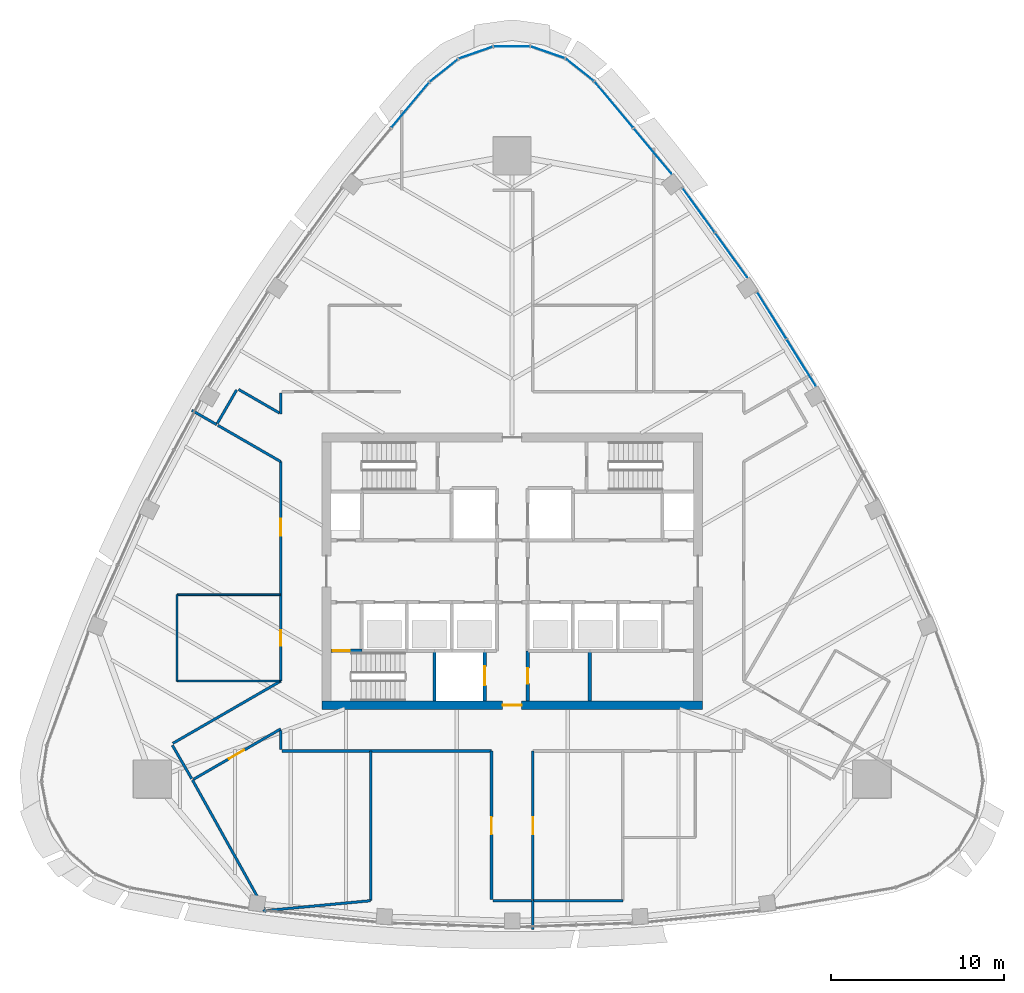
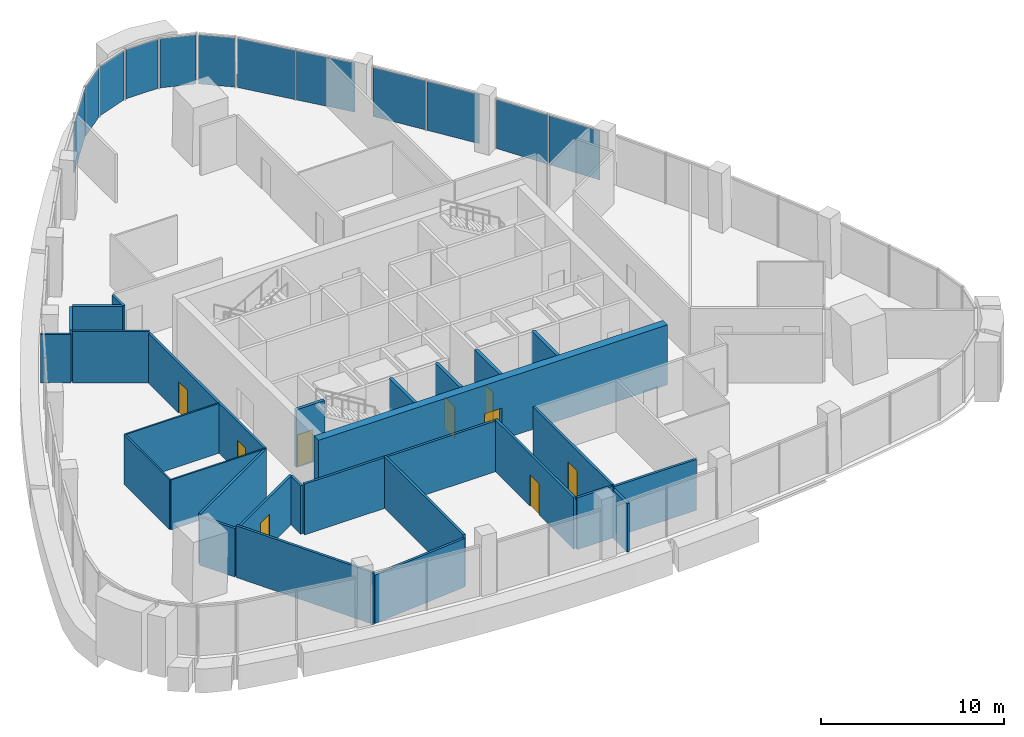
# One storey, part 8 of 15: 29 walls, 12 plates, 9 doors, 9 openings, 9 elements without a shape of their own.
"""IFC4 building model written with IfcOpenShell, lengths in metres."""

from ifc_helpers import new_model, si_unit, direction, frame, frame_2d, origin, origin_2d, place, context, subcontext, project, spatial, rectangle, extrude, material, layer, layer_set, type_object, element, fill, aggregate, save


model = new_model("IFC4")

# Units and contexts
model_context = context("Model", 3, precision=1e-05, world=origin(), true_north=direction((0.0, 1.0)))
body_context = subcontext(model_context, "Body", "Model", "MODEL_VIEW")
ifc_project = project(units=[si_unit("LENGTHUNIT", "METRE"), si_unit("AREAUNIT", "SQUARE_METRE"), si_unit("VOLUMEUNIT", "CUBIC_METRE"), si_unit("PLANEANGLEUNIT", "RADIAN"), si_unit("MASSUNIT", "GRAM", prefix="KILO")], contexts=[model_context])

# Site, building, storey
site_placement = place(None, origin())
site = spatial("IfcSite", under=ifc_project, at=site_placement, CompositionType="ELEMENT")
building_placement = place(site_placement, origin())
building = spatial("IfcBuilding", under=site, at=building_placement, Name="Sierra Prisma Convention Tower", CompositionType="ELEMENT")
storey_placement = place(building_placement, frame((0.0, 0.0, 283.0)))
storey = spatial("IfcBuildingStorey", under=building, at=storey_placement, Name="L64", CompositionType="ELEMENT", Elevation=283.0)

# Curtain wall, plates
ifc_material_1 = material(Name="Aluminium and glass curtain wall", Category="aluminium")
ifc_layer_1 = layer(ifc_material_1, 0.179931640625)
ifc_layer_set_1 = layer_set([ifc_layer_1], Name="CW-1 Plain shaft curtain wall")
curtain_wall_type = type_object("IfcCurtainWallType", Name="CW-1 Plain shaft curtain wall", PredefinedType="NOTDEFINED", material=ifc_layer_set_1)
curtain_wall_1_placement = place(storey_placement, origin())
curtain_wall_1 = element("IfcCurtainWall", 1, at=curtain_wall_1_placement, inside=storey, type_object=curtain_wall_type, Name="CW-1 NE4 L64", PredefinedType="NOTDEFINED")
ifc_material_2 = material(Name="Tinted glass bronze-grey IGU", Category="glass")
ifc_layer_2 = layer(ifc_material_2, 0.028076171875)
ifc_layer_set_2 = layer_set([ifc_layer_2], Name="CW-1 glass panel")
plate_type = type_object("IfcPlateType", Name="CW-1 glass panel", PredefinedType="CURTAIN_PANEL", material=ifc_layer_set_2)
plate_1_placement = place(storey_placement, frame((16.727783203125, 12.07958984375, 0.0), z_axis=(0.0, 0.0, 1.0), x_axis=(-0.529464807583, 0.848331902931, 0.0)))
plate_1 = element("IfcPlate", 2, at=plate_1_placement, type_object=plate_type, Name="CW-1 panel NE4.1", PredefinedType="CURTAIN_PANEL", context=body_context, shape_type="SweptSolid", body=[
    extrude(rectangle(XDim=3.157470703125, YDim=0.028076171875, at=origin_2d()), origin(), (0.0, 0.0, 1.0), 3.280029296875),
])
plate_2_placement = place(storey_placement, frame((15.01904296875, 14.817626953125, 0.0), z_axis=(0.0, 0.0, 1.0), x_axis=(-0.529464807583, 0.848331902931, 0.0)))
plate_2 = element("IfcPlate", 3, at=plate_2_placement, type_object=plate_type, Name="CW-1 panel NE4.2", PredefinedType="CURTAIN_PANEL", context=body_context, shape_type="SweptSolid", body=[
    extrude(rectangle(XDim=3.157470703125, YDim=0.028076171875, at=origin_2d()), origin(), (0.0, 0.0, 1.0), 3.280029296875),
])
aggregate(curtain_wall_1, [plate_1, plate_2])

curtain_wall_2_placement = place(storey_placement, origin())
curtain_wall_2 = element("IfcCurtainWall", 4, at=curtain_wall_2_placement, inside=storey, type_object=curtain_wall_type, Name="CW-1 NE5 L64", PredefinedType="NOTDEFINED")
plate_3_placement = place(storey_placement, frame((12.675048828125, 18.3017578125, 0.0), z_axis=(0.0, 0.0, 1.0), x_axis=(-0.586484089788, 0.80996074746, 0.0)))
plate_3 = element("IfcPlate", 5, at=plate_3_placement, type_object=plate_type, Name="CW-1 panel NE5.1", PredefinedType="CURTAIN_PANEL", context=body_context, shape_type="SweptSolid", body=[
    extrude(rectangle(XDim=3.142333984375, YDim=0.028076171875, at=origin_2d()), origin(), (0.0, 0.0, 1.0), 3.280029296875),
])
plate_4_placement = place(storey_placement, frame((10.791015625, 20.903564453125, 0.0), z_axis=(0.0, 0.0, 1.0), x_axis=(-0.586484089788, 0.80996074746, 0.0)))
plate_4 = element("IfcPlate", 6, at=plate_4_placement, type_object=plate_type, Name="CW-1 panel NE5.2", PredefinedType="CURTAIN_PANEL", context=body_context, shape_type="SweptSolid", body=[
    extrude(rectangle(XDim=3.142333984375, YDim=0.028076171875, at=origin_2d()), origin(), (0.0, 0.0, 1.0), 3.280029296875),
])
aggregate(curtain_wall_2, [plate_3, plate_4])

curtain_wall_3_placement = place(storey_placement, origin())
curtain_wall_3 = element("IfcCurtainWall", 7, at=curtain_wall_3_placement, inside=storey, type_object=curtain_wall_type, Name="CW-1 NE6 L64", PredefinedType="NOTDEFINED")
plate_5_placement = place(storey_placement, frame((8.121337890625, 24.331298828125, 0.0), z_axis=(0.0, 0.0, 1.0), x_axis=(-0.640733088521, 0.767763706667, 0.0)))
plate_5 = element("IfcPlate", 8, at=plate_5_placement, type_object=plate_type, Name="CW-1 panel NE6.1", PredefinedType="CURTAIN_PANEL", context=body_context, shape_type="SweptSolid", body=[
    extrude(rectangle(XDim=3.38818359375, YDim=0.028076171875, at=origin_2d()), origin(), (0.0, 0.0, 1.0), 3.280029296875),
])
plate_6_placement = place(storey_placement, frame((5.905517578125, 26.986328125, 0.0), z_axis=(0.0, 0.0, 1.0), x_axis=(-0.640733088521, 0.767763706667, 0.0)))
plate_6 = element("IfcPlate", 9, at=plate_6_placement, type_object=plate_type, Name="CW-1 panel NE6.2", PredefinedType="CURTAIN_PANEL", context=body_context, shape_type="SweptSolid", body=[
    extrude(rectangle(XDim=3.38818359375, YDim=0.028076171875, at=origin_2d()), origin(), (0.0, 0.0, 1.0), 3.280029296875),
])
aggregate(curtain_wall_3, [plate_5, plate_6])

# Curtain wall, plate
curtain_wall_4_placement = place(storey_placement, origin())
curtain_wall_4 = element("IfcCurtainWall", 10, at=curtain_wall_4_placement, inside=storey, type_object=curtain_wall_type, Name="CW-1 N1 L64", PredefinedType="NOTDEFINED")
plate_7_placement = place(storey_placement, frame((3.936279296875, 29.00927734375, 0.0), z_axis=(0.0, 0.0, 1.0), x_axis=(-0.782093387112, 0.623161242244, 0.0)))
plate_7 = element("IfcPlate", 11, at=plate_7_placement, type_object=plate_type, Name="CW-1 panel N1.1", PredefinedType="CURTAIN_PANEL", context=body_context, shape_type="SweptSolid", body=[
    extrude(rectangle(XDim=2.005126953125, YDim=0.028076171875, at=origin_2d()), origin(), (0.0, 0.0, 1.0), 3.280029296875),
])
aggregate(curtain_wall_4, [plate_7])

curtain_wall_5_placement = place(storey_placement, origin())
curtain_wall_5 = element("IfcCurtainWall", 12, at=curtain_wall_5_placement, inside=storey, type_object=curtain_wall_type, Name="CW-1 N2 L64", PredefinedType="NOTDEFINED")
plate_8_placement = place(storey_placement, frame((2.0849609375, 30.03173828125, 0.0), z_axis=(0.0, 0.0, 1.0), x_axis=(-0.943952696673, 0.330080757458, 0.0)))
plate_8 = element("IfcPlate", 13, at=plate_8_placement, type_object=plate_type, Name="CW-1 panel N2.1", PredefinedType="CURTAIN_PANEL", context=body_context, shape_type="SweptSolid", body=[
    extrude(rectangle(XDim=2.005126953125, YDim=0.028076171875, at=origin_2d()), origin(), (0.0, 0.0, 1.0), 3.280029296875),
])
aggregate(curtain_wall_5, [plate_8])

curtain_wall_6_placement = place(storey_placement, origin())
curtain_wall_6 = element("IfcCurtainWall", 14, at=curtain_wall_6_placement, inside=storey, type_object=curtain_wall_type, Name="CW-1 N3 L64", PredefinedType="NOTDEFINED")
plate_9_placement = place(storey_placement, frame((0.0, 30.3857421875, 0.0), z_axis=(0.0, 0.0, 1.0), x_axis=(-1.0, 0.0, 0.0)))
plate_9 = element("IfcPlate", 15, at=plate_9_placement, type_object=plate_type, Name="CW-1 panel N3.1", PredefinedType="CURTAIN_PANEL", context=body_context, shape_type="SweptSolid", body=[
    extrude(rectangle(XDim=2.005126953125, YDim=0.028076171875, at=origin_2d()), origin(), (0.0, 0.0, 1.0), 3.280029296875),
])
aggregate(curtain_wall_6, [plate_9])

curtain_wall_7_placement = place(storey_placement, origin())
curtain_wall_7 = element("IfcCurtainWall", 16, at=curtain_wall_7_placement, inside=storey, type_object=curtain_wall_type, Name="CW-1 N4 L64", PredefinedType="NOTDEFINED")
plate_10_placement = place(storey_placement, frame((-2.0849609375, 30.03173828125, 0.0), z_axis=(0.0, 0.0, 1.0), x_axis=(-0.943952696673, -0.330080757458, 0.0)))
plate_10 = element("IfcPlate", 17, at=plate_10_placement, type_object=plate_type, Name="CW-1 panel N4.1", PredefinedType="CURTAIN_PANEL", context=body_context, shape_type="SweptSolid", body=[
    extrude(rectangle(XDim=2.005126953125, YDim=0.028076171875, at=origin_2d()), origin(), (0.0, 0.0, 1.0), 3.280029296875),
])
aggregate(curtain_wall_7, [plate_10])

curtain_wall_8_placement = place(storey_placement, origin())
curtain_wall_8 = element("IfcCurtainWall", 18, at=curtain_wall_8_placement, inside=storey, type_object=curtain_wall_type, Name="CW-1 N5 L64", PredefinedType="NOTDEFINED")
plate_11_placement = place(storey_placement, frame((-3.936279296875, 29.00927734375, 0.0), z_axis=(0.0, 0.0, 1.0), x_axis=(-0.782093387112, -0.623161242244, 0.0)))
plate_11 = element("IfcPlate", 19, at=plate_11_placement, type_object=plate_type, Name="CW-1 panel N5.1", PredefinedType="CURTAIN_PANEL", context=body_context, shape_type="SweptSolid", body=[
    extrude(rectangle(XDim=2.005126953125, YDim=0.028076171875, at=origin_2d()), origin(), (0.0, 0.0, 1.0), 3.280029296875),
])
aggregate(curtain_wall_8, [plate_11])

curtain_wall_9_placement = place(storey_placement, origin())
curtain_wall_9 = element("IfcCurtainWall", 20, at=curtain_wall_9_placement, inside=storey, type_object=curtain_wall_type, Name="CW-1 NW1 L64", PredefinedType="NOTDEFINED")
plate_12_placement = place(storey_placement, frame((-5.905517578125, 26.986328125, 0.0), z_axis=(0.0, 0.0, 1.0), x_axis=(-0.640733088521, -0.767763706667, 0.0)))
plate_12 = element("IfcPlate", 21, at=plate_12_placement, type_object=plate_type, Name="CW-1 panel NW1.1", PredefinedType="CURTAIN_PANEL", context=body_context, shape_type="SweptSolid", body=[
    extrude(rectangle(XDim=3.38818359375, YDim=0.028076171875, at=origin_2d()), origin(), (0.0, 0.0, 1.0), 3.280029296875),
])
aggregate(curtain_wall_9, [plate_12])

# Walls
ifc_material_3 = material(Name="Gypsum board partition", Category="gypsum")
ifc_layer_3 = layer(ifc_material_3, 0.10009765625)
ifc_layer_set_3 = layer_set([ifc_layer_3], Name="Bathroom partition 100")
wall_type_1 = type_object("IfcWallType", Name="Bathroom partition 100", PredefinedType="PARTITIONING", material=ifc_layer_set_3)
wall_1_placement = place(storey_placement, frame((-13.4599609375, -6.350830078125, 0.0), z_axis=(0.0, 0.0, 1.0), x_axis=(-1.0, 0.0, 0.0)))
element("IfcWall", 22, at=wall_1_placement, inside=storey, type_object=wall_type_1, Name="Partition L64 bath 1", PredefinedType="PARTITIONING", context=body_context, shape_type="SweptSolid", body=[
    extrude(rectangle(XDim=5.93994140625, YDim=0.10009765625, at=frame_2d((2.969970703125, 0.0))), origin(), (0.0, 0.0, 1.0), 3.31689453125),
])
wall_2_placement = place(storey_placement, frame((-19.39990234375, -6.350830078125, 0.0), z_axis=(0.0, 0.0, 1.0), x_axis=(0.0, 1.0, 0.0)))
element("IfcWall", 23, at=wall_2_placement, inside=storey, type_object=wall_type_1, Name="Partition L64 bath 2", PredefinedType="PARTITIONING", context=body_context, shape_type="SweptSolid", body=[
    extrude(rectangle(XDim=5.0, YDim=0.10009765625, at=frame_2d((2.5, 0.0))), origin(), (0.0, 0.0, 1.0), 3.31689453125),
])
wall_3_placement = place(storey_placement, frame((-19.39990234375, -1.350830078125, 0.0), z_axis=(0.0, 0.0, 1.0), x_axis=(1.0, 0.0, 0.0)))
element("IfcWall", 24, at=wall_3_placement, inside=storey, type_object=wall_type_1, Name="Partition L64 bath 3", PredefinedType="PARTITIONING", context=body_context, shape_type="SweptSolid", body=[
    extrude(rectangle(XDim=5.969970703125, YDim=0.10009765625, at=frame_2d((2.98486328125, 0.0))), origin(), (0.0, 0.0, 1.0), 3.31689453125),
])

# Wall, opening, door
ifc_material_4 = material(Name="Concrete C30/37", Category="concrete")
ifc_layer_4 = layer(ifc_material_4, 0.199951171875)
ifc_layer_set_4 = layer_set([ifc_layer_4], Name="Core wall RC 200 C30/37")
wall_type_2 = type_object("IfcWallType", Name="Core wall RC 200 C30/37", PredefinedType="SOLIDWALL", material=ifc_layer_set_4)
wall_4_placement = place(storey_placement, frame((-10.5, -4.60009765625, 0.0), z_axis=(0.0, 0.0, 1.0), x_axis=(1.0, 0.0, 0.0)))
wall_4 = element("IfcWall", 25, at=wall_4_placement, inside=storey, type_object=wall_type_2, Name="Core wall L64 1", PredefinedType="SOLIDWALL", context=body_context, shape_type="SweptSolid", body=[
    extrude(rectangle(XDim=1.800048828125, YDim=0.199951171875, at=frame_2d((0.89990234375, 0.0))), origin(), (0.0, 0.0, 1.0), 3.85009765625),
])
opening_1_placement = place(wall_4_placement, frame((0.10009765625, 0.0, 0.0)))
opening_1 = element("IfcOpeningElement", 26, at=opening_1_placement, cuts=wall_4, Name="Opening L64-D017", PredefinedType="OPENING", context=body_context, shape_type="SweptSolid", body=[
    extrude(rectangle(XDim=1.0, YDim=2.10009765625, at=frame_2d((0.5, 1.050048828125))), frame((0.0, 0.10009765625, 0.0), z_axis=(0.0, -1.0, 0.0), x_axis=(1.0, 0.0, 0.0)), (0.0, 0.0, 1.0), 0.199951171875),
])
ifc_material_5 = material(Name="Steel fire door leaf", Category="steel")
door_type_1 = type_object("IfcDoorType", Name="Door 1000x2100 FD90S", OperationType="SINGLE_SWING_LEFT", PredefinedType="DOOR", material=ifc_material_5)
door_1_placement = place(opening_1_placement, origin())
door_1 = element("IfcDoor", 27, at=door_1_placement, inside=storey, type_object=door_type_1, Name="Door L64 32", OperationType="SINGLE_SWING_LEFT", OverallHeight=2.10009765625, OverallWidth=1.0, PredefinedType="DOOR", context=body_context, shape_type="SweptSolid", body=[
    extrude(rectangle(XDim=1.0, YDim=2.10009765625, at=frame_2d((0.5, 1.050048828125))), frame((0.0, 0.02490234375, 0.0), z_axis=(0.0, -1.0, 0.0), x_axis=(1.0, 0.0, 0.0)), (0.0, 0.0, 1.0), 0.050048828125),
])
fill(opening_1, door_1)

# Wall
wall_5_placement = place(storey_placement, frame((-4.5, -4.60009765625, 0.0), z_axis=(0.0, 0.0, 1.0), x_axis=(0.0, -1.0, 0.0)))
element("IfcWall", 28, at=wall_5_placement, inside=storey, type_object=wall_type_2, Name="Core wall L64 14", PredefinedType="SOLIDWALL", context=body_context, shape_type="SweptSolid", body=[
    extrude(rectangle(XDim=2.89990234375, YDim=0.199951171875, at=frame_2d((1.449951171875, 0.0))), origin(), (0.0, 0.0, 1.0), 3.85009765625),
])

# Wall, opening, door
wall_6_placement = place(storey_placement, frame((-1.60009765625, -7.5, 0.0), z_axis=(0.0, 0.0, 1.0), x_axis=(0.0, 1.0, 0.0)))
wall_6 = element("IfcWall", 29, at=wall_6_placement, inside=storey, type_object=wall_type_2, Name="Core wall L64 26", PredefinedType="SOLIDWALL", context=body_context, shape_type="SweptSolid", body=[
    extrude(rectangle(XDim=2.89990234375, YDim=0.199951171875, at=frame_2d((1.449951171875, 0.0))), origin(), (0.0, 0.0, 1.0), 3.85009765625),
])
opening_2_placement = place(wall_6_placement, frame((0.89990234375, 0.0, 0.0)))
opening_2 = element("IfcOpeningElement", 30, at=opening_2_placement, cuts=wall_6, Name="Opening L64-D009", PredefinedType="OPENING", context=body_context, shape_type="SweptSolid", body=[
    extrude(rectangle(XDim=1.10009765625, YDim=2.10009765625, at=frame_2d((0.550048828125, 1.050048828125))), frame((0.0, 0.10009765625, 0.0), z_axis=(0.0, -1.0, 0.0), x_axis=(1.0, 0.0, 0.0)), (0.0, 0.0, 1.0), 0.199951171875),
])
ifc_material_6 = material(Name="Steel fire door leaf", Category="steel")
door_type_2 = type_object("IfcDoorType", Name="Door 1100x2100 EI 90 sliding lift landing", OperationType="SLIDING_TO_LEFT", PredefinedType="DOOR", material=ifc_material_6)
door_2_placement = place(opening_2_placement, origin())
door_2 = element("IfcDoor", 31, at=door_2_placement, inside=storey, type_object=door_type_2, Name="Door L64 24", OperationType="SLIDING_TO_RIGHT", OverallHeight=2.10009765625, OverallWidth=1.10009765625, PredefinedType="DOOR", context=body_context, shape_type="SweptSolid", body=[
    extrude(rectangle(XDim=1.10009765625, YDim=2.10009765625, at=frame_2d((0.550048828125, 1.050048828125))), frame((0.0, 0.02490234375, 0.0), z_axis=(0.0, -1.0, 0.0), x_axis=(1.0, 0.0, 0.0)), (0.0, 0.0, 1.0), 0.050048828125),
])
fill(opening_2, door_2)

wall_7_placement = place(storey_placement, frame((0.89990234375, -4.60009765625, 0.0), z_axis=(0.0, 0.0, 1.0), x_axis=(0.0, -1.0, 0.0)))
wall_7 = element("IfcWall", 32, at=wall_7_placement, inside=storey, type_object=wall_type_2, Name="Core wall L64 32", PredefinedType="SOLIDWALL", context=body_context, shape_type="SweptSolid", body=[
    extrude(rectangle(XDim=2.89990234375, YDim=0.199951171875, at=frame_2d((1.449951171875, 0.0))), origin(), (0.0, 0.0, 1.0), 3.85009765625),
])
opening_3_placement = place(wall_7_placement, frame((1.0, 0.0, 0.0)))
opening_3 = element("IfcOpeningElement", 33, at=opening_3_placement, cuts=wall_7, Name="Opening L64-D024", PredefinedType="OPENING", context=body_context, shape_type="SweptSolid", body=[
    extrude(rectangle(XDim=0.89990234375, YDim=2.10009765625, at=frame_2d((0.449951171875, 1.050048828125))), frame((0.0, 0.10009765625, 0.0), z_axis=(0.0, -1.0, 0.0), x_axis=(1.0, 0.0, 0.0)), (0.0, 0.0, 1.0), 0.199951171875),
])
ifc_material_7 = material(Name="Steel fire door leaf", Category="steel")
door_type_3 = type_object("IfcDoorType", Name="Door 900x2100 FD30S", OperationType="SINGLE_SWING_LEFT", PredefinedType="DOOR", material=ifc_material_7)
door_3_placement = place(opening_3_placement, origin())
door_3 = element("IfcDoor", 34, at=door_3_placement, inside=storey, type_object=door_type_3, Name="Door L64 39", OperationType="SINGLE_SWING_RIGHT", OverallHeight=2.10009765625, OverallWidth=0.89990234375, PredefinedType="DOOR", context=body_context, shape_type="SweptSolid", body=[
    extrude(rectangle(XDim=0.89990234375, YDim=2.10009765625, at=frame_2d((0.449951171875, 1.050048828125))), frame((0.0, 0.02490234375, 0.0), z_axis=(0.0, -1.0, 0.0), x_axis=(1.0, 0.0, 0.0)), (0.0, 0.0, 1.0), 0.050048828125),
])
fill(opening_3, door_3)

# Wall
wall_8_placement = place(storey_placement, frame((4.5, -4.60009765625, 0.0), z_axis=(0.0, 0.0, 1.0), x_axis=(0.0, -1.0, 0.0)))
element("IfcWall", 35, at=wall_8_placement, inside=storey, type_object=wall_type_2, Name="Core wall L64 49", PredefinedType="SOLIDWALL", context=body_context, shape_type="SweptSolid", body=[
    extrude(rectangle(XDim=2.89990234375, YDim=0.199951171875, at=frame_2d((1.449951171875, 0.0))), origin(), (0.0, 0.0, 1.0), 3.85009765625),
])

# Wall, opening, door
ifc_material_8 = material(Name="Concrete C50/60", Category="concrete")
ifc_layer_5 = layer(ifc_material_8, 0.5)
ifc_layer_set_5 = layer_set([ifc_layer_5], Name="Core wall RC 500 C50/60")
wall_type_3 = type_object("IfcWallType", Name="Core wall RC 500 C50/60", PredefinedType="SHEAR", material=ifc_layer_set_5)
wall_9_placement = place(storey_placement, frame((-11.0, -7.75, 0.0), z_axis=(0.0, 0.0, 1.0), x_axis=(1.0, 0.0, 0.0)))
wall_9 = element("IfcWall", 36, at=wall_9_placement, inside=storey, type_object=wall_type_3, Name="Core wall S L64", PredefinedType="SHEAR", context=body_context, shape_type="SweptSolid", body=[
    extrude(rectangle(XDim=22.0, YDim=0.5, at=frame_2d((11.0, 0.0))), origin(), (0.0, 0.0, 1.0), 4.0),
])
opening_4_placement = place(wall_9_placement, frame((10.449951171875, 0.0, 0.0)))
opening_4 = element("IfcOpeningElement", 37, at=opening_4_placement, cuts=wall_9, Name="Opening L64-D042", PredefinedType="OPENING", context=body_context, shape_type="SweptSolid", body=[
    extrude(rectangle(XDim=1.10009765625, YDim=2.10009765625, at=frame_2d((0.550048828125, 1.050048828125))), frame((0.0, 0.25, 0.0), z_axis=(0.0, -1.0, 0.0), x_axis=(1.0, 0.0, 0.0)), (0.0, 0.0, 1.0), 0.5),
])
ifc_material_9 = material(Name="Steel fire door leaf", Category="steel")
door_type_4 = type_object("IfcDoorType", Name="Door 1100x2100 FD30S", OperationType="SINGLE_SWING_LEFT", PredefinedType="DOOR", material=ifc_material_9)
door_4_placement = place(opening_4_placement, origin())
door_4 = element("IfcDoor", 38, at=door_4_placement, inside=storey, type_object=door_type_4, Name="Door L64 43", OperationType="SINGLE_SWING_LEFT", OverallHeight=2.10009765625, OverallWidth=1.10009765625, PredefinedType="DOOR", context=body_context, shape_type="SweptSolid", body=[
    extrude(rectangle(XDim=1.10009765625, YDim=2.10009765625, at=frame_2d((0.550048828125, 1.050048828125))), frame((0.0, 0.02490234375, 0.0), z_axis=(0.0, -1.0, 0.0), x_axis=(1.0, 0.0, 0.0)), (0.0, 0.0, 1.0), 0.050048828125),
])
fill(opening_4, door_4)

# Walls
ifc_material_10 = material(Name="Gypsum board partition", Category="gypsum")
ifc_layer_6 = layer(ifc_material_10, 0.14990234375)
ifc_layer_set_6 = layer_set([ifc_layer_6], Name="Corridor wall 150 gypsum EI 60")
wall_type_4 = type_object("IfcWallType", Name="Corridor wall 150 gypsum EI 60", PredefinedType="PARTITIONING", material=ifc_layer_set_6)
wall_10_placement = place(storey_placement, frame((-19.67236328125, -10.064453125, 0.0), z_axis=(0.0, 0.0, 1.0), x_axis=(0.500030632641, -0.866007717299, 0.0)))
element("IfcWall", 39, at=wall_10_placement, inside=storey, type_object=wall_type_4, Name="Partition L64 corr 1", PredefinedType="PARTITIONING", context=body_context, shape_type="SweptSolid", body=[
    extrude(rectangle(XDim=2.239990234375, YDim=0.14990234375, at=frame_2d((1.1201171875, 0.0))), origin(), (0.0, 0.0, 1.0), 3.23291015625),
])
wall_11_placement = place(storey_placement, frame((-17.040771484375, 8.452880859375, 0.0), z_axis=(0.0, 0.0, 1.0), x_axis=(0.866026021477, -0.499998930123, 0.0)))
element("IfcWall", 40, at=wall_11_placement, inside=storey, type_object=wall_type_4, Name="Partition L64 corr 2", PredefinedType="PARTITIONING", context=body_context, shape_type="SweptSolid", body=[
    extrude(rectangle(XDim=4.2041015625, YDim=0.14990234375, at=frame_2d((2.10205078125, 0.0))), origin(), (0.0, 0.0, 1.0), 3.449951171875),
])

# Wall, openings, doors
wall_12_placement = place(storey_placement, frame((-13.39990234375, 6.350830078125, 0.0), z_axis=(0.0, 0.0, 1.0), x_axis=(0.0, -1.0, 0.0)))
wall_12 = element("IfcWall", 41, at=wall_12_placement, inside=storey, type_object=wall_type_4, Name="Partition L64 corr 3", PredefinedType="PARTITIONING", context=body_context, shape_type="SweptSolid", body=[
    extrude(rectangle(XDim=12.70166015625, YDim=0.14990234375, at=frame_2d((6.350830078125, 0.0))), origin(), (0.0, 0.0, 1.0), 3.31689453125),
])
opening_5_placement = place(wall_12_placement, frame((9.751708984375, 0.0, 0.0)))
opening_5 = element("IfcOpeningElement", 42, at=opening_5_placement, cuts=wall_12, Name="Opening L64-D031", PredefinedType="OPENING", context=body_context, shape_type="SweptSolid", body=[
    extrude(rectangle(XDim=0.89990234375, YDim=2.10009765625, at=frame_2d((0.449951171875, 1.050048828125))), frame((0.0, 0.074951171875, 0.0), z_axis=(0.0, -1.0, 0.0), x_axis=(1.0, 0.0, 0.0)), (0.0, 0.0, 1.0), 0.14990234375),
])
opening_6_placement = place(wall_12_placement, frame((3.30078125, 0.0, 0.0)))
opening_6 = element("IfcOpeningElement", 43, at=opening_6_placement, cuts=wall_12, Name="Opening L64-D032", PredefinedType="OPENING", context=body_context, shape_type="SweptSolid", body=[
    extrude(rectangle(XDim=1.0, YDim=2.10009765625, at=frame_2d((0.5, 1.050048828125))), frame((0.0, 0.074951171875, 0.0), z_axis=(0.0, -1.0, 0.0), x_axis=(1.0, 0.0, 0.0)), (0.0, 0.0, 1.0), 0.14990234375),
])
ifc_material_11 = material(Name="Steel fire door leaf", Category="steel")
door_type_5 = type_object("IfcDoorType", Name="Door 1000x2100 FD30S", OperationType="SINGLE_SWING_LEFT", PredefinedType="DOOR", material=ifc_material_11)
door_5_placement = place(opening_6_placement, origin())
door_5 = element("IfcDoor", 44, at=door_5_placement, inside=storey, type_object=door_type_5, Name="Door L64 8", OperationType="SINGLE_SWING_RIGHT", OverallHeight=2.10009765625, OverallWidth=1.0, PredefinedType="DOOR", context=body_context, shape_type="SweptSolid", body=[
    extrude(rectangle(XDim=1.0, YDim=2.10009765625, at=frame_2d((0.5, 1.050048828125))), frame((0.0, 0.02490234375, 0.0), z_axis=(0.0, -1.0, 0.0), x_axis=(1.0, 0.0, 0.0)), (0.0, 0.0, 1.0), 0.050048828125),
])
fill(opening_6, door_5)
door_6_placement = place(opening_5_placement, origin())
door_6 = element("IfcDoor", 45, at=door_6_placement, inside=storey, type_object=door_type_3, Name="Door L64 7", OperationType="SINGLE_SWING_LEFT", OverallHeight=2.10009765625, OverallWidth=0.89990234375, PredefinedType="DOOR", context=body_context, shape_type="SweptSolid", body=[
    extrude(rectangle(XDim=0.89990234375, YDim=2.10009765625, at=frame_2d((0.449951171875, 1.050048828125))), frame((0.0, 0.02490234375, 0.0), z_axis=(0.0, -1.0, 0.0), x_axis=(1.0, 0.0, 0.0)), (0.0, 0.0, 1.0), 0.050048828125),
])
fill(opening_5, door_6)

# Wall
wall_13_placement = place(storey_placement, frame((-13.39990234375, -6.350830078125, 0.0), z_axis=(0.0, 0.0, 1.0), x_axis=(-0.866040084029, -0.499974572209, 0.0)))
element("IfcWall", 46, at=wall_13_placement, inside=storey, type_object=wall_type_4, Name="Partition L64 corr 4", PredefinedType="PARTITIONING", context=body_context, shape_type="SweptSolid", body=[
    extrude(rectangle(XDim=7.208984375, YDim=0.14990234375, at=frame_2d((3.6044921875, 0.0))), origin(), (0.0, 0.0, 1.0), 3.31689453125),
])

# Wall, opening, door
wall_14_placement = place(storey_placement, frame((-18.443115234375, -12.03369140625, 0.0), z_axis=(0.0, 0.0, 1.0), x_axis=(0.866031294818, 0.499989796292, 0.0)))
wall_14 = element("IfcWall", 47, at=wall_14_placement, inside=storey, type_object=wall_type_4, Name="Partition L64 corr 5", PredefinedType="PARTITIONING", context=body_context, shape_type="SweptSolid", body=[
    extrude(rectangle(XDim=5.8232421875, YDim=0.14990234375, at=frame_2d((2.91162109375, 0.0))), origin(), (0.0, 0.0, 1.0), 3.23291015625),
])
opening_7_placement = place(wall_14_placement, frame((2.37158203125, 0.0, 0.0)))
opening_7 = element("IfcOpeningElement", 48, at=opening_7_placement, cuts=wall_14, Name="Opening L64-D033", PredefinedType="OPENING", context=body_context, shape_type="SweptSolid", body=[
    extrude(rectangle(XDim=1.0, YDim=2.10009765625, at=frame_2d((0.5, 1.050048828125))), frame((0.0, 0.074951171875, 0.0), z_axis=(0.0, -1.0, 0.0), x_axis=(1.0, 0.0, 0.0)), (0.0, 0.0, 1.0), 0.14990234375),
])
door_7_placement = place(opening_7_placement, origin())
door_7 = element("IfcDoor", 49, at=door_7_placement, inside=storey, type_object=door_type_5, Name="Door L64 9", OperationType="SINGLE_SWING_LEFT", OverallHeight=2.10009765625, OverallWidth=1.0, PredefinedType="DOOR", context=body_context, shape_type="SweptSolid", body=[
    extrude(rectangle(XDim=1.0, YDim=2.10009765625, at=frame_2d((0.5, 1.050048828125))), frame((0.0, 0.02490234375, 0.0), z_axis=(0.0, -1.0, 0.0), x_axis=(1.0, 0.0, 0.0)), (0.0, 0.0, 1.0), 0.050048828125),
])
fill(opening_7, door_7)

# Walls
wall_15_placement = place(storey_placement, frame((-13.39990234375, -9.213623046875, 0.0), z_axis=(0.0, 0.0, 1.0), x_axis=(0.0, -1.0, 0.0)))
element("IfcWall", 50, at=wall_15_placement, inside=storey, type_object=wall_type_4, Name="Partition L64 corr 6", PredefinedType="PARTITIONING", context=body_context, shape_type="SweptSolid", body=[
    extrude(rectangle(XDim=1.1064453125, YDim=0.14990234375, at=frame_2d((0.55322265625, 0.0))), origin(), (0.0, 0.0, 1.0), 3.23291015625),
])
wall_16_placement = place(storey_placement, frame((-15.9501953125, 10.502197265625, 0.0), z_axis=(0.0, 0.0, 1.0), x_axis=(-0.49994888933, -0.866054910533, 0.0)))
element("IfcWall", 51, at=wall_16_placement, inside=storey, type_object=wall_type_4, Name="Partition L64 corr 7", PredefinedType="PARTITIONING", context=body_context, shape_type="SweptSolid", body=[
    extrude(rectangle(XDim=2.239990234375, YDim=0.14990234375, at=frame_2d((1.1201171875, 0.0))), origin(), (0.0, 0.0, 1.0), 3.449951171875),
])
wall_17_placement = place(storey_placement, frame((-13.39990234375, 10.320068359375, 0.0), z_axis=(0.0, 0.0, 1.0), x_axis=(0.0, -1.0, 0.0)))
element("IfcWall", 52, at=wall_17_placement, inside=storey, type_object=wall_type_4, Name="Partition L64 corr 8", PredefinedType="PARTITIONING", context=body_context, shape_type="SweptSolid", body=[
    extrude(rectangle(XDim=1.197998046875, YDim=0.14990234375, at=frame_2d((0.59912109375, 0.0))), origin(), (0.0, 0.0, 1.0), 3.449951171875),
])
wall_18_placement = place(storey_placement, frame((-13.479248046875, 9.16796875, 0.0), z_axis=(0.0, 0.0, 1.0), x_axis=(-0.866052895615, 0.499952379729, 0.0)))
element("IfcWall", 53, at=wall_18_placement, inside=storey, type_object=wall_type_4, Name="Partition L64 corr 9", PredefinedType="PARTITIONING", context=body_context, shape_type="SweptSolid", body=[
    extrude(rectangle(XDim=2.726806640625, YDim=0.14990234375, at=frame_2d((1.36328125, 0.0))), origin(), (0.0, 0.0, 1.0), 3.449951171875),
])
wall_19_placement = place(storey_placement, frame((-13.320068359375, -10.39990234375, 0.0), z_axis=(0.0, 0.0, 1.0), x_axis=(1.0, 0.0, 0.0)))
element("IfcWall", 54, at=wall_19_placement, inside=storey, type_object=wall_type_4, Name="Partition L64 corr 10", PredefinedType="PARTITIONING", context=body_context, shape_type="SweptSolid", body=[
    extrude(rectangle(XDim=12.1201171875, YDim=0.14990234375, at=frame_2d((6.06005859375, 0.0))), origin(), (0.0, 0.0, 1.0), 3.39306640625),
])

# Wall, opening, door
wall_20_placement = place(storey_placement, frame((-1.199951171875, -10.39990234375, 0.0), z_axis=(0.0, 0.0, 1.0), x_axis=(0.0, -1.0, 0.0)))
wall_20 = element("IfcWall", 55, at=wall_20_placement, inside=storey, type_object=wall_type_4, Name="Partition L64 corr 11", PredefinedType="PARTITIONING", context=body_context, shape_type="SweptSolid", body=[
    extrude(rectangle(XDim=8.584228515625, YDim=0.14990234375, at=frame_2d((4.2919921875, 0.0))), origin(), (0.0, 0.0, 1.0), 3.449951171875),
])
opening_8_placement = place(wall_20_placement, frame((3.83203125, 0.0, 0.0)))
opening_8 = element("IfcOpeningElement", 56, at=opening_8_placement, cuts=wall_20, Name="Opening L64-D034", PredefinedType="OPENING", context=body_context, shape_type="SweptSolid", body=[
    extrude(rectangle(XDim=1.0, YDim=2.10009765625, at=frame_2d((0.5, 1.050048828125))), frame((0.0, 0.074951171875, 0.0), z_axis=(0.0, -1.0, 0.0), x_axis=(1.0, 0.0, 0.0)), (0.0, 0.0, 1.0), 0.14990234375),
])
door_8_placement = place(opening_8_placement, origin())
door_8 = element("IfcDoor", 57, at=door_8_placement, inside=storey, type_object=door_type_5, Name="Door L64 10", OperationType="SINGLE_SWING_RIGHT", OverallHeight=2.10009765625, OverallWidth=1.0, PredefinedType="DOOR", context=body_context, shape_type="SweptSolid", body=[
    extrude(rectangle(XDim=1.0, YDim=2.10009765625, at=frame_2d((0.5, 1.050048828125))), frame((0.0, 0.02490234375, 0.0), z_axis=(0.0, -1.0, 0.0), x_axis=(1.0, 0.0, 0.0)), (0.0, 0.0, 1.0), 0.050048828125),
])
fill(opening_8, door_8)

# Wall
wall_21_placement = place(storey_placement, frame((-1.1201171875, -19.064208984375, 0.0), z_axis=(0.0, 0.0, 1.0), x_axis=(1.0, 0.0, 0.0)))
element("IfcWall", 58, at=wall_21_placement, inside=storey, type_object=wall_type_4, Name="Partition L64 corr 13", PredefinedType="PARTITIONING", context=body_context, shape_type="SweptSolid", body=[
    extrude(rectangle(XDim=2.240234375, YDim=0.14990234375, at=frame_2d((1.1201171875, 0.0))), origin(), (0.0, 0.0, 1.0), 3.449951171875),
])

# Wall, opening, door
wall_22_placement = place(storey_placement, frame((1.199951171875, -18.984130859375, 0.0), z_axis=(0.0, 0.0, 1.0), x_axis=(0.0, 1.0, 0.0)))
wall_22 = element("IfcWall", 59, at=wall_22_placement, inside=storey, type_object=wall_type_4, Name="Partition L64 corr 15", PredefinedType="PARTITIONING", context=body_context, shape_type="SweptSolid", body=[
    extrude(rectangle(XDim=8.584228515625, YDim=0.14990234375, at=frame_2d((4.2919921875, 0.0))), origin(), (0.0, 0.0, 1.0), 3.449951171875),
])
opening_9_placement = place(wall_22_placement, frame((3.752197265625, 0.0, 0.0)))
opening_9 = element("IfcOpeningElement", 60, at=opening_9_placement, cuts=wall_22, Name="Opening L64-D035", PredefinedType="OPENING", context=body_context, shape_type="SweptSolid", body=[
    extrude(rectangle(XDim=1.0, YDim=2.10009765625, at=frame_2d((0.5, 1.050048828125))), frame((0.0, 0.074951171875, 0.0), z_axis=(0.0, -1.0, 0.0), x_axis=(1.0, 0.0, 0.0)), (0.0, 0.0, 1.0), 0.14990234375),
])
door_9_placement = place(opening_9_placement, origin())
door_9 = element("IfcDoor", 61, at=door_9_placement, inside=storey, type_object=door_type_5, Name="Door L64 11", OperationType="SINGLE_SWING_LEFT", OverallHeight=2.10009765625, OverallWidth=1.0, PredefinedType="DOOR", context=body_context, shape_type="SweptSolid", body=[
    extrude(rectangle(XDim=1.0, YDim=2.10009765625, at=frame_2d((0.5, 1.050048828125))), frame((0.0, 0.02490234375, 0.0), z_axis=(0.0, -1.0, 0.0), x_axis=(1.0, 0.0, 0.0)), (0.0, 0.0, 1.0), 0.050048828125),
])
fill(opening_9, door_9)

# Walls
ifc_material_12 = material(Name="Gypsum board partition", Category="gypsum")
ifc_layer_7 = layer(ifc_material_12, 0.14990234375)
ifc_layer_set_7 = layer_set([ifc_layer_7], Name="Party wall 150 gypsum")
wall_type_5 = type_object("IfcWallType", Name="Party wall 150 gypsum", PredefinedType="PARTITIONING", material=ifc_layer_set_7)
wall_23_placement = place(storey_placement, frame((-18.51220703125, -12.07373046875, 0.0), z_axis=(0.0, 0.0, 1.0), x_axis=(0.486357878063, -0.873759700631, 0.0)))
element("IfcWall", 62, at=wall_23_placement, inside=storey, type_object=wall_type_5, Name="Partition L64 party 1", PredefinedType="PARTITIONING", context=body_context, shape_type="SweptSolid", body=[
    extrude(rectangle(XDim=8.55126953125, YDim=0.14990234375, at=frame_2d((4.275634765625, 0.0))), origin(), (0.0, 0.0, 1.0), 3.449951171875),
])
wall_24_placement = place(storey_placement, frame((-17.110107421875, 8.492919921875, 0.0), z_axis=(0.0, 0.0, 1.0), x_axis=(-0.86604809764, 0.499960691028, 0.0)))
element("IfcWall", 63, at=wall_24_placement, inside=storey, type_object=wall_type_5, Name="Partition L64 party 2", PredefinedType="PARTITIONING", context=body_context, shape_type="SweptSolid", body=[
    extrude(rectangle(XDim=1.656005859375, YDim=0.14990234375, at=frame_2d((0.828125, 0.0))), origin(), (0.0, 0.0, 1.0), 3.23388671875),
])
wall_25_placement = place(storey_placement, frame((-8.199951171875, -10.39990234375, 0.0), z_axis=(0.0, 0.0, 1.0), x_axis=(0.0, -1.0, 0.0)))
element("IfcWall", 64, at=wall_25_placement, inside=storey, type_object=wall_type_5, Name="Partition L64 party 3", PredefinedType="PARTITIONING", context=body_context, shape_type="SweptSolid", body=[
    extrude(rectangle(XDim=8.664306640625, YDim=0.14990234375, at=frame_2d((4.33203125, 0.0))), origin(), (0.0, 0.0, 1.0), 3.449951171875),
])
wall_26_placement = place(storey_placement, frame((-8.199951171875, -19.064208984375, 0.0), z_axis=(0.0, 0.0, 1.0), x_axis=(-0.995555683818, -0.09417473344, 0.0)))
element("IfcWall", 65, at=wall_26_placement, inside=storey, type_object=wall_type_5, Name="Partition L64 party 4", PredefinedType="PARTITIONING", context=body_context, shape_type="SweptSolid", body=[
    extrude(rectangle(XDim=6.030029296875, YDim=0.14990234375, at=frame_2d((3.01513671875, 0.0))), origin(), (0.0, 0.0, 1.0), 3.23388671875),
])
wall_27_placement = place(storey_placement, frame((-14.253173828125, -19.718505859375, 0.0), z_axis=(0.0, 0.0, 1.0), x_axis=(-0.743357981466, 0.668893796794, 0.0)))
element("IfcWall", 66, at=wall_27_placement, inside=storey, type_object=wall_type_5, Name="Partition L64 party 5", PredefinedType="PARTITIONING", context=body_context, shape_type="SweptSolid", body=[
    extrude(rectangle(XDim=0.190185546875, YDim=0.14990234375, at=frame_2d((0.09521484375, 0.0))), origin(), (0.0, 0.0, 1.0), 3.449951171875),
])
wall_28_placement = place(storey_placement, frame((6.39990234375, -19.064208984375, 0.0), z_axis=(0.0, 0.0, 1.0), x_axis=(-1.0, 0.0, 0.0)))
element("IfcWall", 67, at=wall_28_placement, inside=storey, type_object=wall_type_5, Name="Partition L64 party 8", PredefinedType="PARTITIONING", context=body_context, shape_type="SweptSolid", body=[
    extrude(rectangle(XDim=5.199951171875, YDim=0.14990234375, at=frame_2d((2.60009765625, 0.0))), origin(), (0.0, 0.0, 1.0), 3.39306640625),
])
wall_29_placement = place(storey_placement, frame((1.199951171875, -19.064208984375, 0.0), z_axis=(0.0, 0.0, 1.0), x_axis=(0.0, -1.0, 0.0)))
element("IfcWall", 68, at=wall_29_placement, inside=storey, type_object=wall_type_5, Name="Partition L64 party 9", PredefinedType="PARTITIONING", context=body_context, shape_type="SweptSolid", body=[
    extrude(rectangle(XDim=1.656005859375, YDim=0.14990234375, at=frame_2d((0.828125, 0.0))), origin(), (0.0, 0.0, 1.0), 3.23388671875),
])

save(model, "model.ifc")
